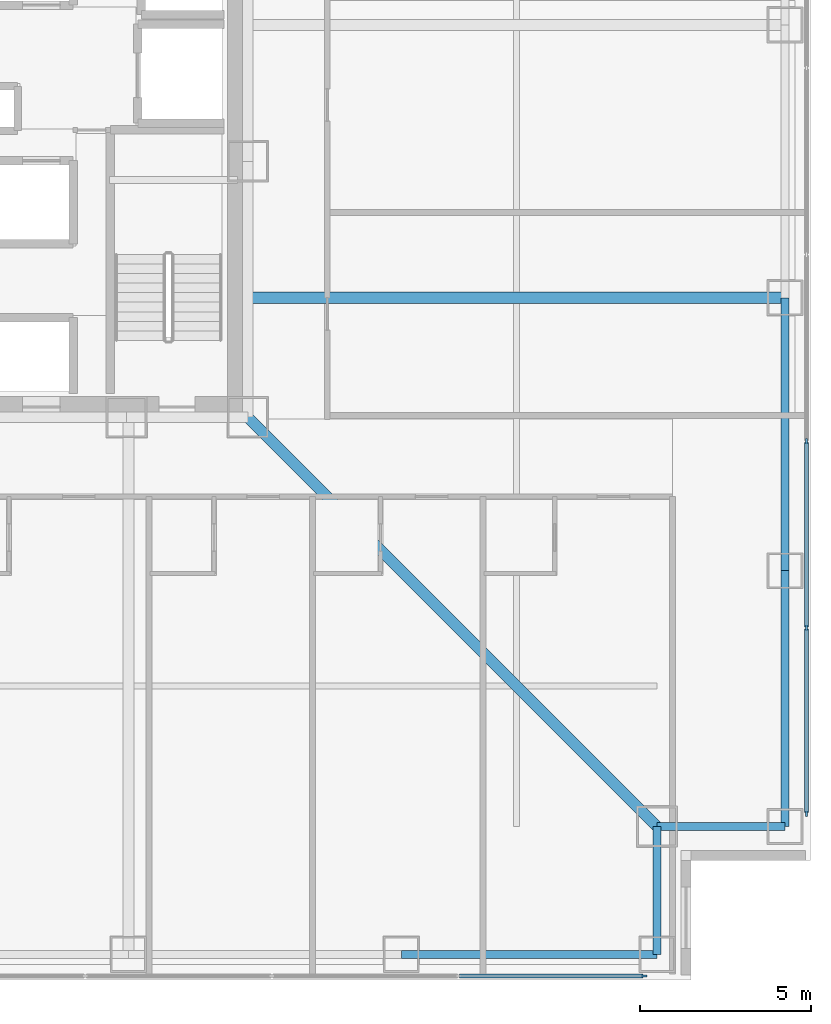
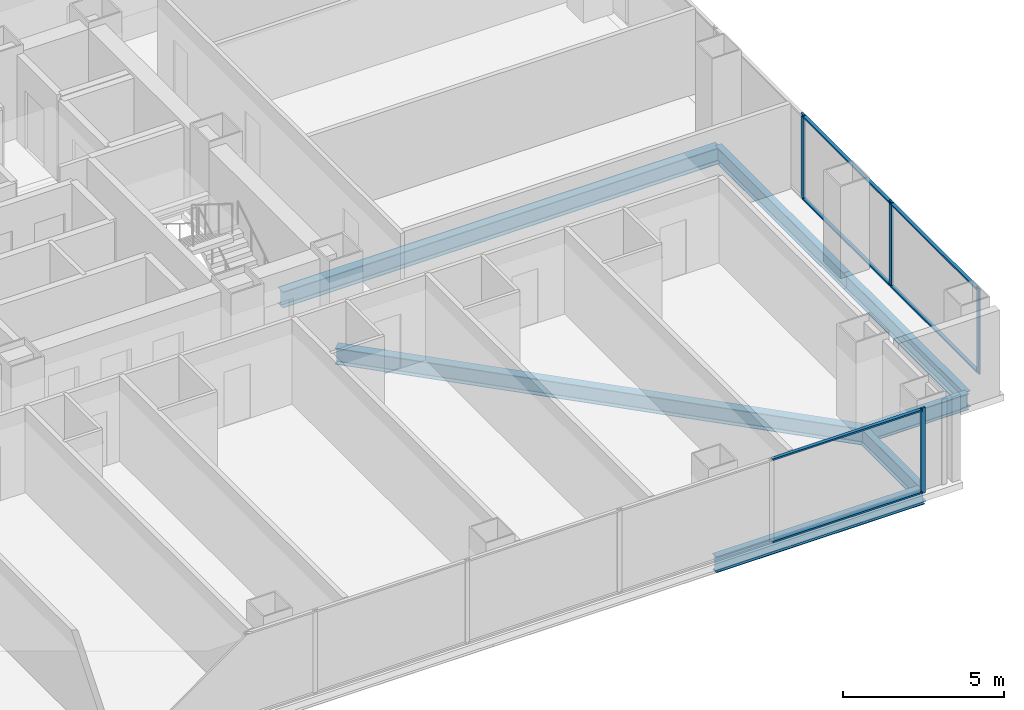
# One storey, part 8 of 20: 10 members, 7 beams, 2 elements without a shape of their own.
"""IFC4 building model written with IfcOpenShell, lengths in metres."""

from ifc_helpers import new_model, si_unit, direction, frame, origin, origin_2d, place, context, subcontext, project, spatial, rectangle, i_section, extrude, material, layer, layer_set, material_profile, profile_set, type_object, element, aggregate, save


model = new_model("IFC4")

# Units and contexts
model_context = context("Model", 3, precision=1e-05, world=origin(), true_north=direction((0.0, 1.0)))
body_context = subcontext(model_context, "Body", "Model", "MODEL_VIEW")
ifc_project = project(units=[si_unit("LENGTHUNIT", "METRE"), si_unit("AREAUNIT", "SQUARE_METRE"), si_unit("VOLUMEUNIT", "CUBIC_METRE"), si_unit("PLANEANGLEUNIT", "RADIAN"), si_unit("MASSUNIT", "GRAM", prefix="KILO")], contexts=[model_context])

# Site, building, storey
site_placement = place(None, origin())
site = spatial("IfcSite", under=ifc_project, at=site_placement, CompositionType="ELEMENT")
building_placement = place(site_placement, origin())
building = spatial("IfcBuilding", under=site, at=building_placement, Name="Trevonay Congress Spire", CompositionType="ELEMENT")
storey_placement = place(building_placement, frame((0.0, 0.0, 62.0)))
storey = spatial("IfcBuildingStorey", under=building, at=storey_placement, Name="L15", CompositionType="ELEMENT", Elevation=62.0)

# Beams
ifc_material_1 = material(Name="Steel ASTM A572 Grade 50", Category="steel")
ifc_material_profile_1 = material_profile(ifc_material_1, i_section(OverallWidth=0.324951171875, OverallDepth=0.615966796875, WebThickness=0.013916015625, FlangeThickness=0.021484375, FilletRadius=0.01806640625, at=origin_2d()), Name="W610x174")
ifc_profile_set_1 = profile_set([ifc_material_profile_1], Name="Steel ASTM A572 Grade 50")
beam_type_1 = type_object("IfcBeamType", Name="BM-GIRD-W610X174", PredefinedType="BEAM", material=ifc_profile_set_1)
beam_1_placement = place(storey_placement, frame((7.5, -7.5, -0.55810546875), z_axis=(0.707106781187, -0.707106781187, 0.0), x_axis=(0.707106781187, 0.707106781187, 0.0)))
element("IfcBeam", 1, at=beam_1_placement, inside=storey, type_object=beam_type_1, Name="L15 structural beam BM-L15-CDSE", PredefinedType="BEAM", context=body_context, shape_type="SweptSolid", body=[
    extrude(i_section(OverallWidth=0.324951171875, OverallDepth=0.615966796875, WebThickness=0.013916015625, FlangeThickness=0.021484375, FilletRadius=0.01806640625, at=origin_2d()), origin(), (0.0, 0.0, 1.0), 16.970458984375),
])
beam_2_placement = place(storey_placement, frame((7.5, -4.0, -0.55810546875), z_axis=(1.0, 0.0, 0.0), x_axis=(0.0, 1.0, 0.0)))
element("IfcBeam", 2, at=beam_2_placement, inside=storey, type_object=beam_type_1, Name="L15 structural beam BM-L15-GE-M", PredefinedType="BEAM", context=body_context, shape_type="SweptSolid", body=[
    extrude(i_section(OverallWidth=0.324951171875, OverallDepth=0.615966796875, WebThickness=0.013916015625, FlangeThickness=0.021484375, FilletRadius=0.01806640625, at=origin_2d()), origin(), (0.0, 0.0, 1.0), 15.75),
])
ifc_material_profile_2 = material_profile(ifc_material_1, i_section(OverallWidth=0.22998046875, OverallDepth=0.616943359375, WebThickness=0.01318359375, FlangeThickness=0.022216796875, FilletRadius=0.01611328125, at=origin_2d()), Name="W610x140")
ifc_profile_set_2 = profile_set([ifc_material_profile_2], Name="Steel ASTM A572 Grade 50")
beam_type_2 = type_object("IfcBeamType", Name="BM-RING-W610X140", PredefinedType="BEAM", material=ifc_profile_set_2)
beam_3_placement = place(storey_placement, frame((23.25, -19.5, -0.55859375), z_axis=(0.0, 1.0, 0.0), x_axis=(-1.0, 0.0, 0.0)))
element("IfcBeam", 3, at=beam_3_placement, inside=storey, type_object=beam_type_2, Name="L15 structural beam BM-L15-PE1", PredefinedType="BEAM", context=body_context, shape_type="SweptSolid", body=[
    extrude(i_section(OverallWidth=0.22998046875, OverallDepth=0.616943359375, WebThickness=0.01318359375, FlangeThickness=0.022216796875, FilletRadius=0.01611328125, at=origin_2d()), origin(), (0.0, 0.0, 1.0), 7.5),
])
beam_4_placement = place(storey_placement, frame((23.25, -12.0, -0.55859375), z_axis=(0.0, 1.0, 0.0), x_axis=(-1.0, 0.0, 0.0)))
element("IfcBeam", 4, at=beam_4_placement, inside=storey, type_object=beam_type_2, Name="L15 structural beam BM-L15-PE2", PredefinedType="BEAM", context=body_context, shape_type="SweptSolid", body=[
    extrude(i_section(OverallWidth=0.22998046875, OverallDepth=0.616943359375, WebThickness=0.01318359375, FlangeThickness=0.022216796875, FilletRadius=0.01611328125, at=origin_2d()), origin(), (0.0, 0.0, 1.0), 8.0),
])
beam_5_placement = place(storey_placement, frame((12.0, -23.25, -0.55859375), z_axis=(1.0, 0.0, 0.0), x_axis=(0.0, 1.0, 0.0)))
element("IfcBeam", 5, at=beam_5_placement, inside=storey, type_object=beam_type_2, Name="L15 structural beam BM-L15-PS5", PredefinedType="BEAM", context=body_context, shape_type="SweptSolid", body=[
    extrude(i_section(OverallWidth=0.22998046875, OverallDepth=0.616943359375, WebThickness=0.01318359375, FlangeThickness=0.022216796875, FilletRadius=0.01611328125, at=origin_2d()), origin(), (0.0, 0.0, 1.0), 7.5),
])
for number, where, z_axis, x_axis, name in (
    (6, (19.5, -23.25, -0.55859375), (0.0, 1.0, 0.0), (-1.0, 0.0, 0.0), "L15 structural beam BM-L15-N1SE"),
    (7, (23.25, -19.5, -0.55859375), (-1.0, 0.0, 0.0), (0.0, -1.0, 0.0), "L15 structural beam BM-L15-N2SE"),
):
    element("IfcBeam", number, at=place(storey_placement, frame(where, z_axis=z_axis, x_axis=x_axis)), inside=storey, type_object=beam_type_2, Name=name, PredefinedType="BEAM", context=body_context, shape_type="SweptSolid", body=[
        extrude(i_section(OverallWidth=0.22998046875, OverallDepth=0.616943359375, WebThickness=0.01318359375, FlangeThickness=0.022216796875, FilletRadius=0.01611328125, at=origin_2d()), origin(), (0.0, 0.0, 1.0), 3.75),
    ])

# Curtain wall, member
ifc_material_2 = material(Name="Pale Anodised Aluminium EN AW-6063-T6", Category="aluminium")
ifc_layer = layer(ifc_material_2, 0.179931640625, Name="Pale Anodised Aluminium EN AW-6063-T6")
ifc_layer_set = layer_set([ifc_layer], Name="Pale Anodised Aluminium EN AW-6063-T6")
curtain_wall_type = type_object("IfcCurtainWallType", Name="CW-SYS02-HOTEL-PALE-METAL", PredefinedType="NOTDEFINED", material=ifc_layer_set)
curtain_wall_1_placement = place(storey_placement, origin())
curtain_wall_1 = element("IfcCurtainWall", 8, at=curtain_wall_1_placement, inside=storey, type_object=curtain_wall_type, Name="L15 S unitised curtain wall", PredefinedType="NOTDEFINED")
ifc_material_profile_3 = material_profile(ifc_material_2, rectangle(XDim=0.06005859375, YDim=0.159912109375, at=origin_2d()), Name="CW-MULLION-160-ALUMINIUM")
ifc_profile_set_3 = profile_set([ifc_material_profile_3], Name="Pale Anodised Aluminium EN AW-6063-T6")
member_type_1 = type_object("IfcMemberType", Name="CW-MULLION-160-ALUMINIUM", PredefinedType="MULLION", material=ifc_profile_set_3)
member_1_placement = place(storey_placement, frame((19.1201171875, -23.8798828125, 0.0), z_axis=(0.0, 0.0, 1.0), x_axis=(0.0, 1.0, 0.0)))
member_1 = element("IfcMember", 9, at=member_1_placement, type_object=member_type_1, Name="CW02 mullion 8", PredefinedType="MULLION", context=body_context, shape_type="SweptSolid", body=[
    extrude(rectangle(XDim=0.06005859375, YDim=0.159912109375, at=origin_2d()), origin(), (0.0, 0.0, 1.0), 3.25),
])

# Curtain wall, members
curtain_wall_2_placement = place(storey_placement, origin())
curtain_wall_2 = element("IfcCurtainWall", 10, at=curtain_wall_2_placement, inside=storey, type_object=curtain_wall_type, Name="L15 E unitised curtain wall", PredefinedType="NOTDEFINED")
member_2_placement = place(storey_placement, frame((23.8798828125, -19.1201171875, 0.0), z_axis=(0.0, 0.0, 1.0), x_axis=(-1.0, 0.0, 0.0)))
member_2 = element("IfcMember", 11, at=member_2_placement, type_object=member_type_1, Name="CW02 mullion 1", PredefinedType="MULLION", context=body_context, shape_type="SweptSolid", body=[
    extrude(rectangle(XDim=0.06005859375, YDim=0.159912109375, at=origin_2d()), origin(), (0.0, 0.0, 1.0), 3.25),
])
member_3_placement = place(storey_placement, frame((23.8798828125, -13.678466796875, 0.0), z_axis=(0.0, 0.0, 1.0), x_axis=(-1.0, 0.0, 0.0)))
member_3 = element("IfcMember", 12, at=member_3_placement, type_object=member_type_1, Name="CW02 mullion 2", PredefinedType="MULLION", context=body_context, shape_type="SweptSolid", body=[
    extrude(rectangle(XDim=0.06005859375, YDim=0.159912109375, at=origin_2d()), origin(), (0.0, 0.0, 1.0), 3.25),
])
member_4_placement = place(storey_placement, frame((23.8798828125, -8.20703125, 0.0), z_axis=(0.0, 0.0, 1.0), x_axis=(-1.0, 0.0, 0.0)))
member_4 = element("IfcMember", 13, at=member_4_placement, type_object=member_type_1, Name="CW02 mullion 3", PredefinedType="MULLION", context=body_context, shape_type="SweptSolid", body=[
    extrude(rectangle(XDim=0.06005859375, YDim=0.159912109375, at=origin_2d()), origin(), (0.0, 0.0, 1.0), 3.25),
])

# Member
ifc_material_profile_4 = material_profile(ifc_material_2, rectangle(XDim=0.1201171875, YDim=0.06005859375, at=origin_2d()), Name="CW-TRANSOM-120-ALUMINIUM")
ifc_profile_set_4 = profile_set([ifc_material_profile_4], Name="Pale Anodised Aluminium EN AW-6063-T6")
member_type_2 = type_object("IfcMemberType", Name="CW-TRANSOM-120-ALUMINIUM", PredefinedType="USERDEFINED", material=ifc_profile_set_4)
member_5_placement = place(storey_placement, frame((13.70849609375, -23.8798828125, 0.06005859375), z_axis=(1.0, 0.0, 0.0), x_axis=(0.0, 1.0, 0.0)))
member_5 = element("IfcMember", 14, at=member_5_placement, type_object=member_type_2, Name="CW02 transom 7.1", ObjectType="TRANSOM", PredefinedType="USERDEFINED", context=body_context, shape_type="SweptSolid", body=[
    extrude(rectangle(XDim=0.1201171875, YDim=0.06005859375, at=origin_2d()), origin(), (0.0, 0.0, 1.0), 5.381591796875),
])

member_6_placement = place(storey_placement, frame((13.70849609375, -23.8798828125, 3.18994140625), z_axis=(1.0, 0.0, 0.0), x_axis=(0.0, 1.0, 0.0)))
member_6 = element("IfcMember", 15, at=member_6_placement, type_object=member_type_2, Name="CW02 transom 7.2", ObjectType="TRANSOM", PredefinedType="USERDEFINED", context=body_context, shape_type="SweptSolid", body=[
    extrude(rectangle(XDim=0.1201171875, YDim=0.06005859375, at=origin_2d()), origin(), (0.0, 0.0, 1.0), 5.381591796875),
])

aggregate(curtain_wall_1, [member_1, member_5, member_6])

member_7_placement = place(storey_placement, frame((23.8798828125, -19.090087890625, 0.06005859375), z_axis=(0.0, 1.0, 0.0), x_axis=(-1.0, 0.0, 0.0)))
member_7 = element("IfcMember", 16, at=member_7_placement, type_object=member_type_2, Name="CW02 transom 1.1", ObjectType="TRANSOM", PredefinedType="USERDEFINED", context=body_context, shape_type="SweptSolid", body=[
    extrude(rectangle(XDim=0.1201171875, YDim=0.06005859375, at=origin_2d()), origin(), (0.0, 0.0, 1.0), 5.381591796875),
])

member_8_placement = place(storey_placement, frame((23.8798828125, -19.090087890625, 3.18994140625), z_axis=(0.0, 1.0, 0.0), x_axis=(-1.0, 0.0, 0.0)))
member_8 = element("IfcMember", 17, at=member_8_placement, type_object=member_type_2, Name="CW02 transom 1.2", ObjectType="TRANSOM", PredefinedType="USERDEFINED", context=body_context, shape_type="SweptSolid", body=[
    extrude(rectangle(XDim=0.1201171875, YDim=0.06005859375, at=origin_2d()), origin(), (0.0, 0.0, 1.0), 5.381591796875),
])

member_9_placement = place(storey_placement, frame((23.8798828125, -13.648681640625, 0.06005859375), z_axis=(0.0, 1.0, 0.0), x_axis=(-1.0, 0.0, 0.0)))
member_9 = element("IfcMember", 18, at=member_9_placement, type_object=member_type_2, Name="CW02 transom 2.1", ObjectType="TRANSOM", PredefinedType="USERDEFINED", context=body_context, shape_type="SweptSolid", body=[
    extrude(rectangle(XDim=0.1201171875, YDim=0.06005859375, at=origin_2d()), origin(), (0.0, 0.0, 1.0), 5.41162109375),
])

member_10_placement = place(storey_placement, frame((23.8798828125, -13.648681640625, 3.18994140625), z_axis=(0.0, 1.0, 0.0), x_axis=(-1.0, 0.0, 0.0)))
member_10 = element("IfcMember", 19, at=member_10_placement, type_object=member_type_2, Name="CW02 transom 2.2", ObjectType="TRANSOM", PredefinedType="USERDEFINED", context=body_context, shape_type="SweptSolid", body=[
    extrude(rectangle(XDim=0.1201171875, YDim=0.06005859375, at=origin_2d()), origin(), (0.0, 0.0, 1.0), 5.41162109375),
])

aggregate(curtain_wall_2, [member_2, member_3, member_4, member_7, member_8, member_9, member_10])

save(model, "model.ifc")
